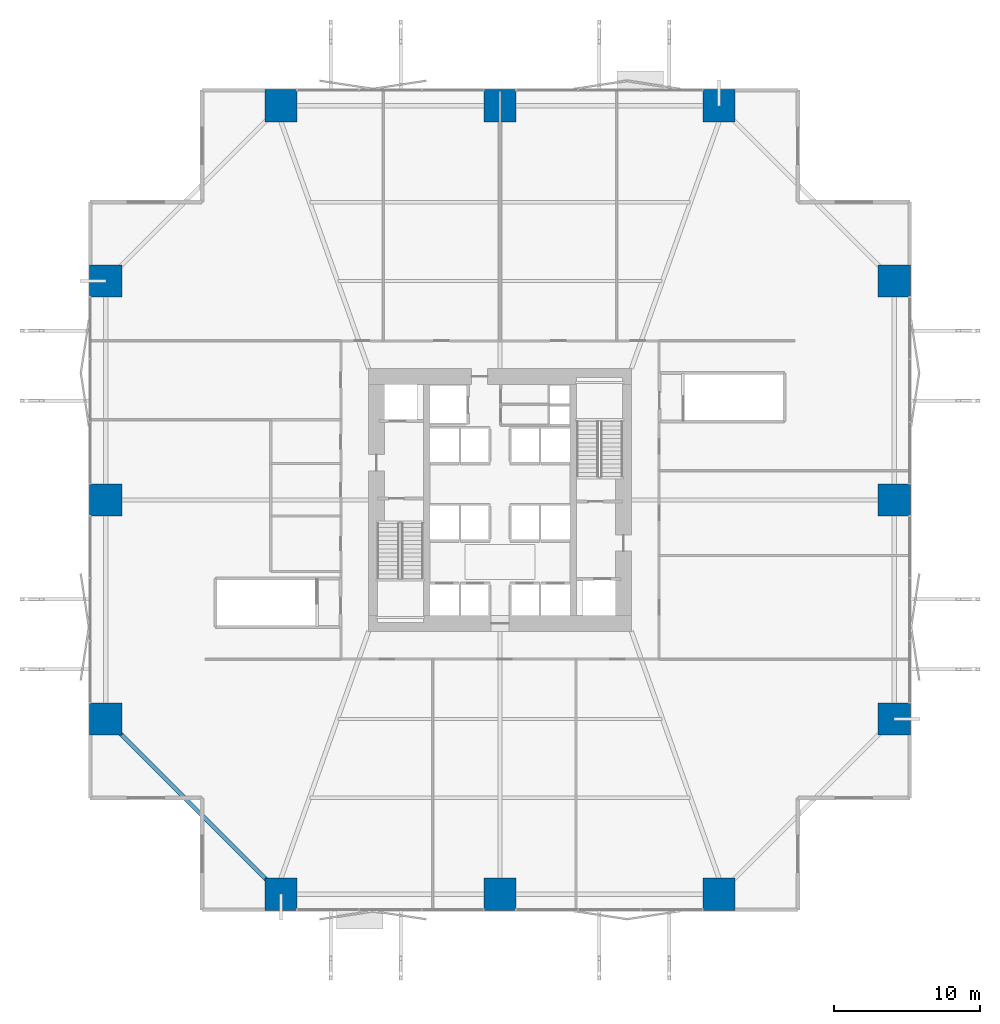
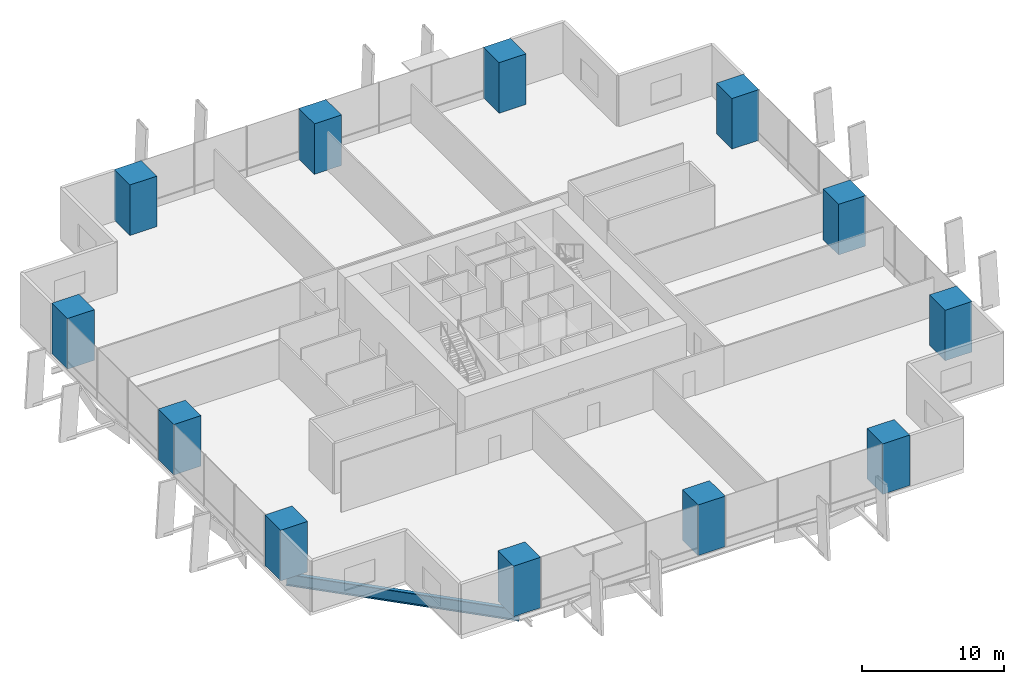
# One storey, part 1 of 24: 12 columns, 1 beam.
"""IFC4 building model written with IfcOpenShell, lengths in metres."""

from ifc_helpers import new_model, si_unit, direction, frame, origin, origin_2d, place, context, subcontext, project, spatial, rectangle, i_section, extrude, material, material_profile, profile_set, type_object, element, save


model = new_model("IFC4")

# Units and contexts
model_context = context("Model", 3, precision=1e-05, world=origin(), true_north=direction((0.0, 1.0)))
body_context = subcontext(model_context, "Body", "Model", "MODEL_VIEW")
ifc_project = project(units=[si_unit("LENGTHUNIT", "METRE"), si_unit("AREAUNIT", "SQUARE_METRE"), si_unit("VOLUMEUNIT", "CUBIC_METRE"), si_unit("PLANEANGLEUNIT", "RADIAN"), si_unit("MASSUNIT", "GRAM", prefix="KILO")], contexts=[model_context])

# Site, building, storey
site_placement = place(None, origin())
site = spatial("IfcSite", under=ifc_project, at=site_placement, CompositionType="ELEMENT")
building_placement = place(site_placement, origin())
building = spatial("IfcBuilding", under=site, at=building_placement, Name="Belovzor Exchange Tower", CompositionType="ELEMENT")
storey_placement = place(building_placement, frame((0.0, 0.0, 19.199951171875)))
storey = spatial("IfcBuildingStorey", under=building, at=storey_placement, Name="L04", CompositionType="ELEMENT", Elevation=19.199951171875)

# Columns
ifc_material_1 = material(Name="Concrete C60/75", Category="concrete")
ifc_material_profile_1 = material_profile(ifc_material_1, rectangle(XDim=2.199951171875, YDim=2.199951171875, at=origin_2d()))
ifc_profile_set_1 = profile_set([ifc_material_profile_1], Name="Concrete C60/75")
column_type = type_object("IfcColumnType", Name="Sculpted Mega-Pilotis Composite Column 2200x2200", PredefinedType="PILASTER", material=ifc_profile_set_1)
for number, where, z_axis, x_axis, name in (
    (1, (13.800048828125, 1.800048828125, 0.001953125), (0.0, 0.0, 1.0), (1.0, 0.0, 0.0), "COL-MP220 Sculpted Mega-Pilotis Composite Column 2200x2200"),
    (2, (28.800048828125, 1.800048828125, 0.001953125), (0.0, 0.0, 1.0), (1.0, 0.0, 0.0), "COL-MP220 Sculpted Mega-Pilotis Composite Column 2200x2200"),
    (3, (43.800048828125, 1.800048828125, 0.001953125), (0.0, 0.0, 1.0), (1.0, 0.0, 0.0), "COL-MP220 Sculpted Mega-Pilotis Composite Column 2200x2200"),
    (4, (55.800048828125, 13.800048828125, 0.001953125), (0.0, 0.0, 1.0), (1.0, 0.0, 0.0), "COL-MP220 Sculpted Mega-Pilotis Composite Column 2200x2200"),
    (5, (55.800048828125, 28.800048828125, 0.001953125), (0.0, 0.0, 1.0), (1.0, 0.0, 0.0), "COL-MP220 Sculpted Mega-Pilotis Composite Column 2200x2200"),
    (6, (55.800048828125, 43.800048828125, 0.001953125), (0.0, 0.0, 1.0), (1.0, 0.0, 0.0), "COL-MP220 Sculpted Mega-Pilotis Composite Column 2200x2200"),
    (7, (43.800048828125, 55.800048828125, 0.001953125), (0.0, 0.0, 1.0), (1.0, 0.0, 0.0), "COL-MP220 Sculpted Mega-Pilotis Composite Column 2200x2200"),
    (8, (28.800048828125, 55.800048828125, 0.001953125), (0.0, 0.0, 1.0), (1.0, 0.0, 0.0), "COL-MP220 Sculpted Mega-Pilotis Composite Column 2200x2200"),
    (9, (13.800048828125, 55.800048828125, 0.001953125), (0.0, 0.0, 1.0), (1.0, 0.0, 0.0), "COL-MP220 Sculpted Mega-Pilotis Composite Column 2200x2200"),
    (10, (1.800048828125, 43.800048828125, 0.001953125), (0.0, 0.0, 1.0), (1.0, 0.0, 0.0), "COL-MP220 Sculpted Mega-Pilotis Composite Column 2200x2200"),
    (11, (1.800048828125, 28.800048828125, 0.001953125), (0.0, 0.0, 1.0), (1.0, 0.0, 0.0), "COL-MP220 Sculpted Mega-Pilotis Composite Column 2200x2200"),
    (12, (1.800048828125, 13.800048828125, 0.001953125), (0.0, 0.0, 1.0), (1.0, 0.0, 0.0), "COL-MP220 Sculpted Mega-Pilotis Composite Column 2200x2200"),
):
    element("IfcColumn", number, at=place(storey_placement, frame(where, z_axis=z_axis, x_axis=x_axis)), inside=storey, type_object=column_type, Name=name, PredefinedType="PILASTER", context=body_context, shape_type="SweptSolid", body=[
        extrude(rectangle(XDim=2.199951171875, YDim=2.199951171875, at=origin_2d()), origin(), (0.0, 0.0, 1.0), 4.343994140625),
    ])

# Beam
ifc_material_2 = material(Name="Steel S460", Category="steel")
ifc_material_profile_2 = material_profile(ifc_material_2, i_section(OverallWidth=0.300048828125, OverallDepth=1.0, WebThickness=0.02099609375, FlangeThickness=0.0400390625, at=origin_2d()))
ifc_profile_set_2 = profile_set([ifc_material_profile_2], Name="Steel S460")
beam_type = type_object("IfcBeamType", Name="Podium Exchange Hall Ring Girder HEM 1000", PredefinedType="BEAM", material=ifc_profile_set_2)
beam_placement = place(storey_placement, frame((1.800048828125, 13.800048828125, -0.849853515625), z_axis=(0.707106781187, -0.707106781187, 0.0), x_axis=(0.707106781187, 0.707106781187, 0.0)))
element("IfcBeam", 13, at=beam_placement, inside=storey, type_object=beam_type, Name="PG-1 Podium Exchange Hall Ring Girder HEM 1000", PredefinedType="BEAM", context=body_context, shape_type="SweptSolid", body=[
    extrude(i_section(OverallWidth=0.300048828125, OverallDepth=1.0, WebThickness=0.02099609375, FlangeThickness=0.0400390625, at=origin_2d()), origin(), (0.0, 0.0, 1.0), 16.970458984375),
])

save(model, "model.ifc")
